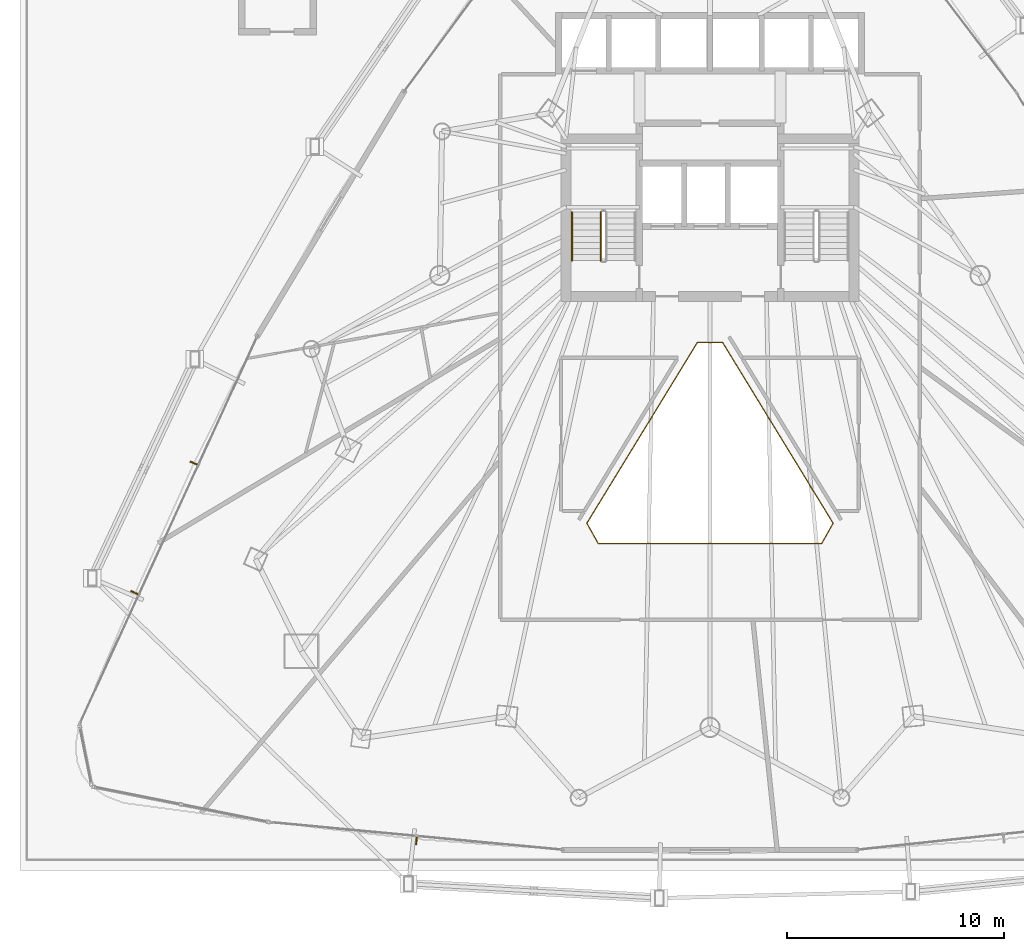
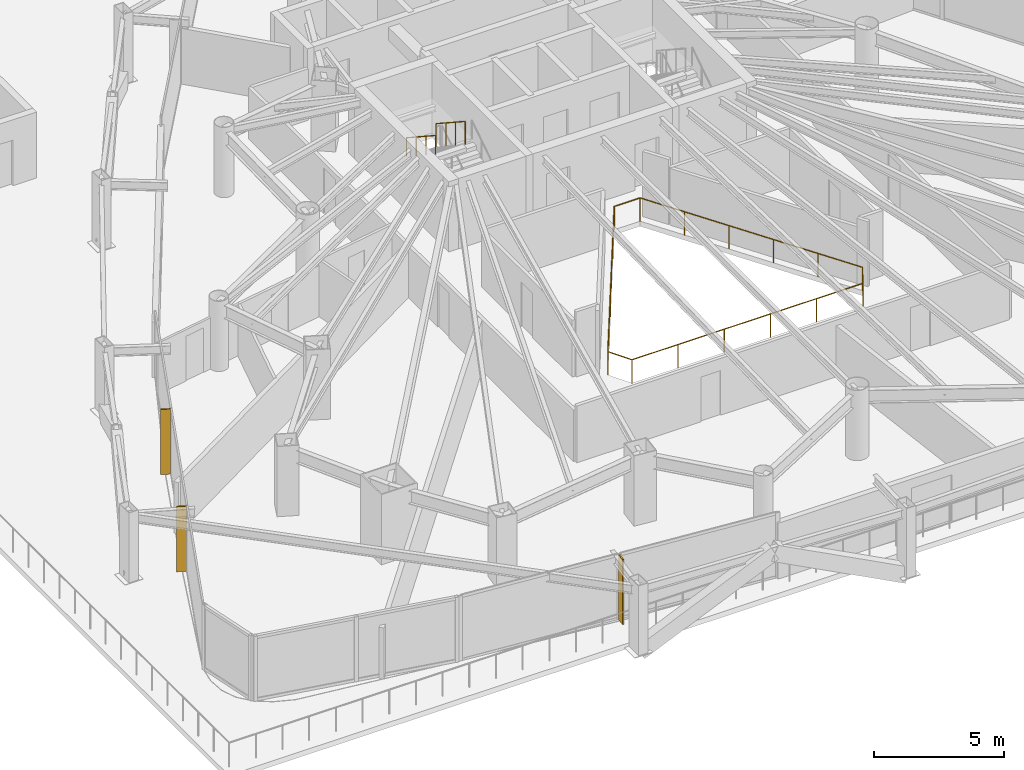
# One storey, part 32 of 36: 3 railings, 3 shading devices.
"""IFC4 building model written with IfcOpenShell, lengths in metres."""

from ifc_helpers import new_model, si_unit, direction, frame, origin, origin_2d, place, context, subcontext, project, spatial, rectangle, circle, extrude, material, layer, layer_set, type_object, element, save


model = new_model("IFC4")

# Units and contexts
model_context = context("Model", 3, precision=1e-05, world=origin(), true_north=direction((0.0, 1.0)))
body_context = subcontext(model_context, "Body", "Model", "MODEL_VIEW")
ifc_project = project(units=[si_unit("LENGTHUNIT", "METRE"), si_unit("AREAUNIT", "SQUARE_METRE"), si_unit("VOLUMEUNIT", "CUBIC_METRE"), si_unit("PLANEANGLEUNIT", "RADIAN"), si_unit("MASSUNIT", "GRAM", prefix="KILO")], contexts=[model_context])

# Site, building, storey
site_placement = place(None, origin())
site = spatial("IfcSite", under=ifc_project, at=site_placement, CompositionType="ELEMENT")
building_placement = place(site_placement, origin())
building = spatial("IfcBuilding", under=site, at=building_placement, Name="Orvanel Arch Residences", CompositionType="ELEMENT")
storey_placement = place(building_placement, frame((0.0, 0.0, 23.60009765625)))
storey = spatial("IfcBuildingStorey", under=building, at=storey_placement, Name="L05", CompositionType="ELEMENT", Elevation=23.60009765625)

# Shading devices
ifc_material_1 = material(Name="Bronze-anodised aluminium AA6063-T6", Category="aluminium")
ifc_layer = layer(ifc_material_1, 0.06005859375)
ifc_layer_set = layer_set([ifc_layer], Name="Bronze-anodised aluminium AA6063-T6")
shading_device_type = type_object("IfcShadingDeviceType", Name="FIN-BRZ-380", PredefinedType="USERDEFINED", material=ifc_layer_set)
for number, where, z_axis, x_axis, name in (
    (1, (9.257080078125, 18.9990234375, -0.000244140625), (0.0, 0.0, 1.0), (-0.909236109047, 0.41628079226, 0.0), "L05 Anodised Bronze Mullion FIN 01"),
    (2, (6.52587890625, 13.0419921875, -0.000244140625), (0.0, 0.0, 1.0), (-0.909236109047, 0.41628079226, 0.0), "L05 Anodised Bronze Mullion FIN 02"),
    (3, (19.490966796875, 1.6240234375, -0.000244140625), (0.0, 0.0, 1.0), (-0.094108313319, -0.995561964603, 0.0), "L05 Anodised Bronze Mullion FIN 01"),
):
    element("IfcShadingDevice", number, at=place(storey_placement, frame(where, z_axis=z_axis, x_axis=x_axis)), inside=storey, type_object=shading_device_type, Name=name, ObjectType="FIN", PredefinedType="USERDEFINED", context=body_context, shape_type="SweptSolid", body=[
        extrude(rectangle(XDim=0.3798828125, YDim=0.06005859375, at=origin_2d()), origin(), (0.0, 0.0, 1.0), 3.06005859375),
    ])

# Railings
railing_type_1 = type_object("IfcRailingType", Name="RL-ATR-1120", PredefinedType="BALUSTRADE", material=ifc_material_1)
railing_1_placement = place(storey_placement, frame((33.573974609375, 24.56103515625, 0.0)))
element("IfcRailing", 4, at=railing_1_placement, inside=storey, type_object=railing_type_1, Name="L05 Atrium Void Protective Balustrade", PredefinedType="BALUSTRADE", context=body_context, shape_type="SweptSolid", body=[
    extrude(circle(Radius=0.02392578125, at=origin_2d()), frame((-0.00146484375, 0.0, 1.09619140625), z_axis=(-1.0, 0.0, 0.0), x_axis=(0.0, -1.0, 0.0)), (0.0, 0.0, 1.0), 1.14501953125),
    extrude(circle(Radius=0.02392578125, at=origin_2d()), frame((-1.148681640625, -0.001220703125, 1.09619140625), z_axis=(-0.521588691776, -0.853197067864, 0.0), x_axis=(0.853197067864, -0.521588691776, 0.0)), (0.0, 0.0, 1.0), 9.751953125),
    extrude(circle(Radius=0.02392578125, at=origin_2d()), frame((-6.2353515625, -8.32421875, 1.09619140625), z_axis=(0.489894911212, -0.871781495542, 0.0), x_axis=(0.871781495542, 0.489894911212, 0.0)), (0.0, 0.0, 1.0), 1.072998046875),
    extrude(circle(Radius=0.02392578125, at=origin_2d()), frame((-5.70751953125, -9.260986328125, 1.09619140625), z_axis=(1.0, 0.0, 0.0), x_axis=(0.0, 1.0, 0.0)), (0.0, 0.0, 1.0), 10.26708984375),
    extrude(circle(Radius=0.02392578125, at=origin_2d()), frame((4.561767578125, -9.259765625, 1.09619140625), z_axis=(0.489894911212, 0.871781495542, 0.0), x_axis=(-0.871781495542, 0.489894911212, 0.0)), (0.0, 0.0, 1.0), 1.072998046875),
    extrude(circle(Radius=0.02392578125, at=origin_2d()), frame((5.08740234375, -8.32177734375, 1.09619140625), z_axis=(-0.521588691776, 0.853197067864, 0.0), x_axis=(-0.853197067864, -0.521588691776, 0.0)), (0.0, 0.0, 1.0), 9.751953125),
    extrude(circle(Radius=0.02099609375, at=origin_2d()), origin(), (0.0, 0.0, 1.0), 1.070068359375),
    extrude(circle(Radius=0.02099609375, at=origin_2d()), frame((-1.14794921875, 0.0, 0.0)), (0.0, 0.0, 1.0), 1.070068359375),
    extrude(circle(Radius=0.02099609375, at=origin_2d()), frame((-2.16552734375, -1.66455078125, 0.0)), (0.0, 0.0, 1.0), 1.070068359375),
    extrude(circle(Radius=0.02099609375, at=origin_2d()), frame((-3.18310546875, -3.3291015625, 0.0)), (0.0, 0.0, 1.0), 1.070068359375),
    extrude(circle(Radius=0.02099609375, at=origin_2d()), frame((-4.200927734375, -4.993896484375, 0.0)), (0.0, 0.0, 1.0), 1.070068359375),
    extrude(circle(Radius=0.02099609375, at=origin_2d()), frame((-5.218505859375, -6.658447265625, 0.0)), (0.0, 0.0, 1.0), 1.070068359375),
    extrude(circle(Radius=0.02099609375, at=origin_2d()), frame((-6.236083984375, -8.322998046875, 0.0)), (0.0, 0.0, 1.0), 1.070068359375),
    extrude(circle(Radius=0.02099609375, at=origin_2d()), frame((-5.708984375, -9.260986328125, 0.0)), (0.0, 0.0, 1.0), 1.070068359375),
    extrude(circle(Radius=0.02099609375, at=origin_2d()), frame((-3.655029296875, -9.260986328125, 0.0)), (0.0, 0.0, 1.0), 1.070068359375),
    extrude(circle(Radius=0.02099609375, at=origin_2d()), frame((-1.60107421875, -9.260986328125, 0.0)), (0.0, 0.0, 1.0), 1.070068359375),
    extrude(circle(Radius=0.02099609375, at=origin_2d()), frame((0.453125, -9.260986328125, 0.0)), (0.0, 0.0, 1.0), 1.070068359375),
    extrude(circle(Radius=0.02099609375, at=origin_2d()), frame((2.507080078125, -9.260986328125, 0.0)), (0.0, 0.0, 1.0), 1.070068359375),
    extrude(circle(Radius=0.02099609375, at=origin_2d()), frame((4.56103515625, -9.260986328125, 0.0)), (0.0, 0.0, 1.0), 1.070068359375),
    extrude(circle(Radius=0.02099609375, at=origin_2d()), frame((5.088134765625, -8.322998046875, 0.0)), (0.0, 0.0, 1.0), 1.070068359375),
    extrude(circle(Radius=0.02099609375, at=origin_2d()), frame((4.070556640625, -6.658447265625, 0.0)), (0.0, 0.0, 1.0), 1.070068359375),
    extrude(circle(Radius=0.02099609375, at=origin_2d()), frame((3.052978515625, -4.993896484375, 0.0)), (0.0, 0.0, 1.0), 1.070068359375),
    extrude(circle(Radius=0.02099609375, at=origin_2d()), frame((2.03515625, -3.3291015625, 0.0)), (0.0, 0.0, 1.0), 1.070068359375),
    extrude(circle(Radius=0.02099609375, at=origin_2d()), frame((1.017578125, -1.66455078125, 0.0)), (0.0, 0.0, 1.0), 1.070068359375),
])
ifc_material_2 = material(Name="Structural steel AS/NZS 1163 C350L0 (Grade 350)", Category="steel")
railing_type_2 = type_object("IfcRailingType", Name="RL-STAIR-GUARD", PredefinedType="GUARDRAIL", material=ifc_material_2)
railing_2_placement = place(storey_placement, frame((27.969970703125, 30.56005859375, 1.833251953125)))
element("IfcRailing", 5, at=railing_2_placement, inside=storey, type_object=railing_type_2, Name="L05 ST-1 stair guard 3", PredefinedType="GUARDRAIL", context=body_context, shape_type="SweptSolid", body=[
    extrude(circle(Radius=0.02392578125, at=origin_2d()), frame((0.0, -0.001220703125, 1.076904296875), z_axis=(0.0, -0.836636935527, 0.547757827979), x_axis=(1.0, 0.0, 0.0)), (0.0, 0.0, 1.0), 2.67431640625),
    extrude(circle(Radius=0.02099609375, at=origin_2d()), origin(), (0.0, 0.0, 1.0), 1.050048828125),
    extrude(circle(Radius=0.02099609375, at=origin_2d()), frame((0.0, -0.74658203125, 0.48876953125)), (0.0, 0.0, 1.0), 1.050048828125),
    extrude(circle(Radius=0.02099609375, at=origin_2d()), frame((0.0, -1.493408203125, 0.977783203125)), (0.0, 0.0, 1.0), 1.050048828125),
    extrude(circle(Radius=0.02099609375, at=origin_2d()), frame((0.0, -2.239990234375, 1.466552734375)), (0.0, 0.0, 1.0), 1.050048828125),
])
railing_type_3 = type_object("IfcRailingType", Name="RL-STAIR-HAND", PredefinedType="HANDRAIL", material=ifc_material_2)
railing_3_placement = place(storey_placement, frame((26.64990234375, 30.56005859375, 1.833251953125)))
element("IfcRailing", 6, at=railing_3_placement, inside=storey, type_object=railing_type_3, Name="L05 ST-1 stair handrail 2", PredefinedType="HANDRAIL", context=body_context, shape_type="SweptSolid", body=[
    extrude(circle(Radius=0.02392578125, at=origin_2d()), frame((0.0, -0.001220703125, 0.876708984375), z_axis=(0.0, -0.836636935527, 0.547757827979), x_axis=(1.0, 0.0, 0.0)), (0.0, 0.0, 1.0), 2.67431640625),
    extrude(circle(Radius=0.02099609375, at=origin_2d()), origin(), (0.0, 0.0, 1.0), 0.849853515625),
    extrude(circle(Radius=0.02099609375, at=origin_2d()), frame((0.0, -0.74658203125, 0.48876953125)), (0.0, 0.0, 1.0), 0.849853515625),
    extrude(circle(Radius=0.02099609375, at=origin_2d()), frame((0.0, -1.493408203125, 0.977783203125)), (0.0, 0.0, 1.0), 0.849853515625),
    extrude(circle(Radius=0.02099609375, at=origin_2d()), frame((0.0, -2.239990234375, 1.466552734375)), (0.0, 0.0, 1.0), 0.849853515625),
])

save(model, "model.ifc")
